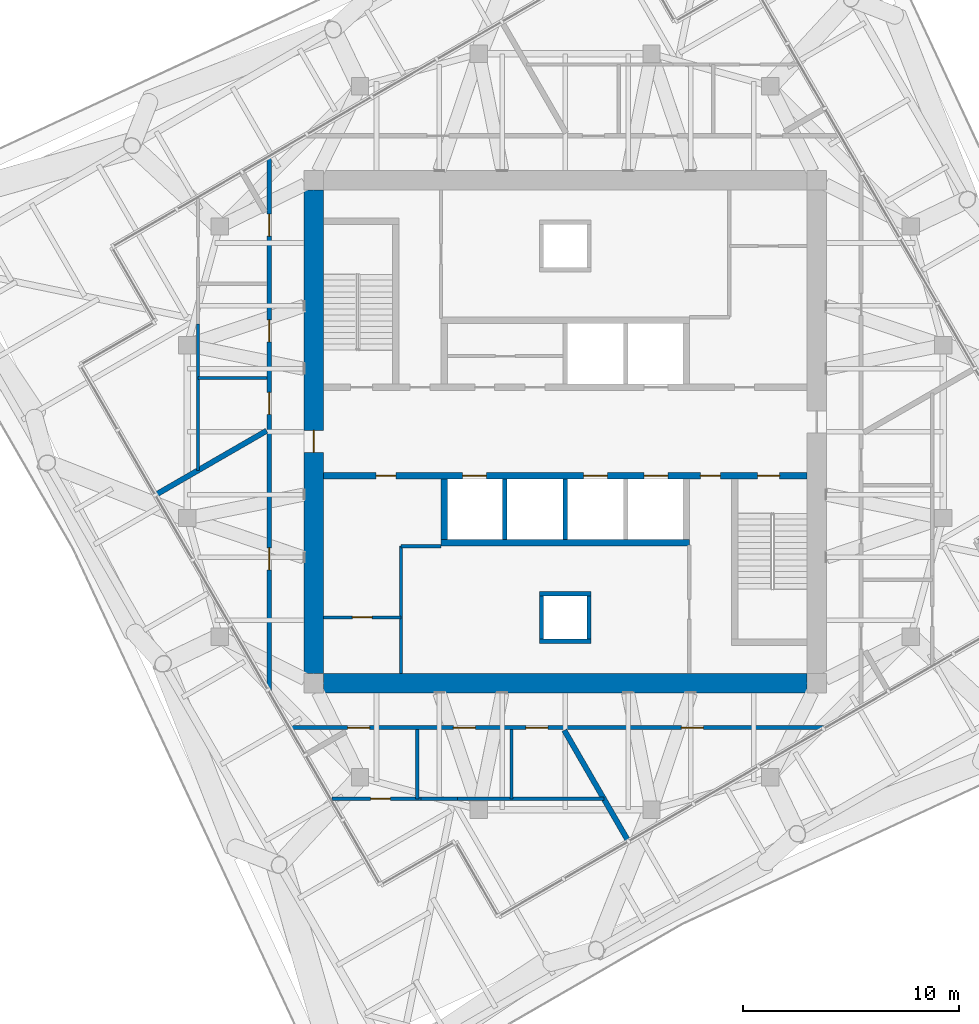
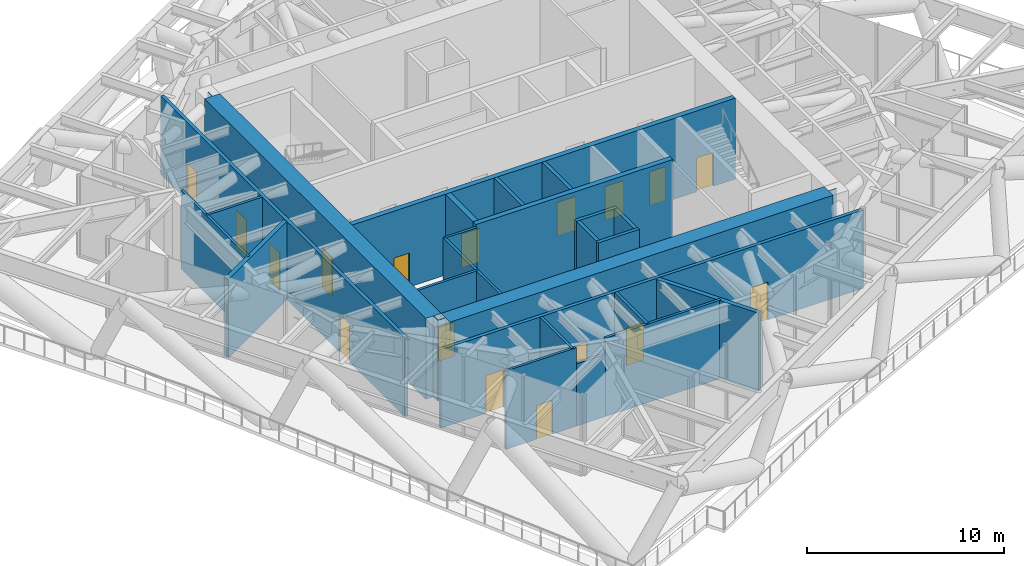
# One storey, part 8 of 12: 25 walls, 17 doors, 17 openings.
"""IFC4 building model written with IfcOpenShell, lengths in metres."""

from ifc_helpers import new_model, si_unit, direction, frame, frame_2d, origin, place, context, subcontext, project, spatial, polyline, rectangle, outline, extrude, material, layer, layer_set, type_object, element, fill, save


model = new_model("IFC4")

# Units and contexts
model_context = context("Model", 3, precision=1e-05, world=origin(), true_north=direction((0.0, 1.0)))
body_context = subcontext(model_context, "Body", "Model", "MODEL_VIEW")
ifc_project = project(units=[si_unit("LENGTHUNIT", "METRE"), si_unit("AREAUNIT", "SQUARE_METRE"), si_unit("VOLUMEUNIT", "CUBIC_METRE"), si_unit("PLANEANGLEUNIT", "RADIAN"), si_unit("MASSUNIT", "GRAM", prefix="KILO")], contexts=[model_context])

# Site, building, storey
site_placement = place(None, origin())
site = spatial("IfcSite", under=ifc_project, at=site_placement, CompositionType="ELEMENT")
building_placement = place(site_placement, origin())
building = spatial("IfcBuilding", under=site, at=building_placement, Name="Torsade Residences", CompositionType="ELEMENT")
storey_placement = place(building_placement, frame((0.0, 0.0, 203.199951171875)))
storey = spatial("IfcBuildingStorey", under=building, at=storey_placement, Name="L56", CompositionType="ELEMENT", Elevation=203.199951171875)

# Wall, openings, doors
ifc_material_1 = material(Name="Concrete 80 MPa", Category="concrete")
ifc_layer_1 = layer(ifc_material_1, 0.300048828125)
ifc_layer_set_1 = layer_set([ifc_layer_1], Name="Concrete 80 MPa")
wall_type_1 = type_object("IfcWallType", Name="CORE INTERNAL WALL 300", PredefinedType="SHEAR", material=ifc_layer_set_1)
wall_1_placement = place(storey_placement, frame((51.199951171875, 27.949951171875, 0.0), z_axis=(0.0, 0.0, 1.0), x_axis=(-1.0, 0.0, 0.0)))
wall_1 = element("IfcWall", 1, at=wall_1_placement, inside=storey, type_object=wall_type_1, Name="Core wall LS L56", PredefinedType="SHEAR", context=body_context, shape_type="SweptSolid", body=[
    extrude(rectangle(XDim=22.39990234375, YDim=0.300048828125, at=frame_2d((11.199951171875, 0.0))), origin(), (0.0, 0.0, 1.0), 5.0),
])
opening_1_placement = place(wall_1_placement, frame((19.0400390625, 0.0, 0.0)))
opening_1 = element("IfcOpeningElement", 2, at=opening_1_placement, cuts=wall_1, Name="Opening D06", PredefinedType="OPENING", context=body_context, shape_type="SweptSolid", body=[
    extrude(rectangle(XDim=0.919921875, YDim=2.10009765625, at=frame_2d((0.4599609375, 1.050048828125))), frame((0.0, 0.159912109375, 0.0), z_axis=(0.0, -1.0, 0.0), x_axis=(1.0, 0.0, 0.0)), (0.0, 0.0, 1.0), 0.320068359375),
])
opening_2_placement = place(wall_1_placement, frame((1.264892578125, 0.0, 0.0)))
opening_2 = element("IfcOpeningElement", 3, at=opening_2_placement, cuts=wall_1, Name="Opening D03", PredefinedType="OPENING", context=body_context, shape_type="SweptSolid", body=[
    extrude(rectangle(XDim=1.02001953125, YDim=2.10009765625, at=frame_2d((0.510009765625, 1.050048828125))), frame((0.0, 0.159912109375, 0.0), z_axis=(0.0, -1.0, 0.0), x_axis=(1.0, 0.0, 0.0)), (0.0, 0.0, 1.0), 0.320068359375),
])
opening_3_placement = place(wall_1_placement, frame((4.014892578125, 0.0, 0.0)))
opening_3 = element("IfcOpeningElement", 4, at=opening_3_placement, cuts=wall_1, Name="Opening D06", PredefinedType="OPENING", context=body_context, shape_type="SweptSolid", body=[
    extrude(rectangle(XDim=0.919921875, YDim=2.10009765625, at=frame_2d((0.4599609375, 1.050048828125))), frame((0.0, 0.159912109375, 0.0), z_axis=(0.0, -1.0, 0.0), x_axis=(1.0, 0.0, 0.0)), (0.0, 0.0, 1.0), 0.320068359375),
])
opening_4_placement = place(wall_1_placement, frame((6.449951171875, 0.0, 0.0)))
opening_4 = element("IfcOpeningElement", 5, at=opening_4_placement, cuts=wall_1, Name="Opening LD", PredefinedType="OPENING", context=body_context, shape_type="SweptSolid", body=[
    extrude(rectangle(XDim=1.10009765625, YDim=2.10009765625, at=frame_2d((0.550048828125, 1.050048828125))), frame((0.0, 0.159912109375, 0.0), z_axis=(0.0, -1.0, 0.0), x_axis=(1.0, 0.0, 0.0)), (0.0, 0.0, 1.0), 0.320068359375),
])
opening_5_placement = place(wall_1_placement, frame((9.25, 0.0, 0.0)))
opening_5 = element("IfcOpeningElement", 6, at=opening_5_placement, cuts=wall_1, Name="Opening LD", PredefinedType="OPENING", context=body_context, shape_type="SweptSolid", body=[
    extrude(rectangle(XDim=1.10009765625, YDim=2.10009765625, at=frame_2d((0.550048828125, 1.050048828125))), frame((0.0, 0.159912109375, 0.0), z_axis=(0.0, -1.0, 0.0), x_axis=(1.0, 0.0, 0.0)), (0.0, 0.0, 1.0), 0.320068359375),
])
opening_6_placement = place(wall_1_placement, frame((14.85009765625, 0.0, 0.0)))
opening_6 = element("IfcOpeningElement", 7, at=opening_6_placement, cuts=wall_1, Name="Opening LD", PredefinedType="OPENING", context=body_context, shape_type="SweptSolid", body=[
    extrude(rectangle(XDim=1.10009765625, YDim=2.10009765625, at=frame_2d((0.550048828125, 1.050048828125))), frame((0.0, 0.159912109375, 0.0), z_axis=(0.0, -1.0, 0.0), x_axis=(1.0, 0.0, 0.0)), (0.0, 0.0, 1.0), 0.320068359375),
])
ifc_material_2 = material(Name="Steel-framed fire door", Category="steel")
door_type_1 = type_object("IfcDoorType", Name="FIRE DOOR 1020", OperationType="NOTDEFINED", PredefinedType="DOOR", material=ifc_material_2)
door_1_placement = place(opening_2_placement, origin())
door_1 = element("IfcDoor", 8, at=door_1_placement, inside=storey, type_object=door_type_1, Name="Exit door to fire-isolated stair ST2 L56", OperationType="SINGLE_SWING_RIGHT", OverallHeight=2.10009765625, OverallWidth=1.02001953125, PredefinedType="DOOR", context=body_context, shape_type="SweptSolid", body=[
    extrude(rectangle(XDim=1.02001953125, YDim=2.10009765625, at=frame_2d((0.510009765625, 1.050048828125))), frame((0.0, 0.02490234375, 0.0), z_axis=(0.0, -1.0, 0.0), x_axis=(1.0, 0.0, 0.0)), (0.0, 0.0, 1.0), 0.050048828125),
])
fill(opening_2, door_1)
ifc_material_3 = material(Name="Steel-framed fire door", Category="steel")
door_type_2 = type_object("IfcDoorType", Name="FIRE DOOR 920", OperationType="NOTDEFINED", PredefinedType="DOOR", material=ifc_material_3)
door_2_placement = place(opening_1_placement, origin())
door_2 = element("IfcDoor", 9, at=door_2_placement, inside=storey, type_object=door_type_2, Name="Door Lift lobby to Cleaner store", OperationType="SINGLE_SWING_LEFT", OverallHeight=2.10009765625, OverallWidth=0.919921875, PredefinedType="DOOR", context=body_context, shape_type="SweptSolid", body=[
    extrude(rectangle(XDim=0.919921875, YDim=2.10009765625, at=frame_2d((0.4599609375, 1.050048828125))), frame((0.0, 0.02490234375, 0.0), z_axis=(0.0, -1.0, 0.0), x_axis=(1.0, 0.0, 0.0)), (0.0, 0.0, 1.0), 0.050048828125),
])
fill(opening_1, door_2)
door_3_placement = place(opening_3_placement, origin())
door_3 = element("IfcDoor", 10, at=door_3_placement, inside=storey, type_object=door_type_2, Name="Door Lift lobby to Security and data store", OperationType="SINGLE_SWING_RIGHT", OverallHeight=2.10009765625, OverallWidth=0.919921875, PredefinedType="DOOR", context=body_context, shape_type="SweptSolid", body=[
    extrude(rectangle(XDim=0.919921875, YDim=2.10009765625, at=frame_2d((0.4599609375, 1.050048828125))), frame((0.0, 0.02490234375, 0.0), z_axis=(0.0, -1.0, 0.0), x_axis=(1.0, 0.0, 0.0)), (0.0, 0.0, 1.0), 0.050048828125),
])
fill(opening_3, door_3)
ifc_material_4 = material(Name="Stainless steel lift landing door", Category="steel")
door_type_3 = type_object("IfcDoorType", Name="LIFT LANDING DOOR 1100", OperationType="SLIDING_TO_LEFT", PredefinedType="DOOR", material=ifc_material_4)
door_4_placement = place(opening_4_placement, origin())
door_4 = element("IfcDoor", 11, at=door_4_placement, inside=storey, type_object=door_type_3, Name="Lift LB1 landing door L56", OperationType="SLIDING_TO_LEFT", OverallHeight=2.10009765625, OverallWidth=1.10009765625, PredefinedType="DOOR", context=body_context, shape_type="SweptSolid", body=[
    extrude(rectangle(XDim=1.10009765625, YDim=2.10009765625, at=frame_2d((0.550048828125, 1.050048828125))), frame((0.0, 0.02490234375, 0.0), z_axis=(0.0, -1.0, 0.0), x_axis=(1.0, 0.0, 0.0)), (0.0, 0.0, 1.0), 0.050048828125),
])
fill(opening_4, door_4)
door_5_placement = place(opening_5_placement, origin())
door_5 = element("IfcDoor", 12, at=door_5_placement, inside=storey, type_object=door_type_3, Name="Lift LB2 landing door L56", OperationType="SLIDING_TO_LEFT", OverallHeight=2.10009765625, OverallWidth=1.10009765625, PredefinedType="DOOR", context=body_context, shape_type="SweptSolid", body=[
    extrude(rectangle(XDim=1.10009765625, YDim=2.10009765625, at=frame_2d((0.550048828125, 1.050048828125))), frame((0.0, 0.02490234375, 0.0), z_axis=(0.0, -1.0, 0.0), x_axis=(1.0, 0.0, 0.0)), (0.0, 0.0, 1.0), 0.050048828125),
])
fill(opening_5, door_5)
door_6_placement = place(opening_6_placement, origin())
door_6 = element("IfcDoor", 13, at=door_6_placement, inside=storey, type_object=door_type_3, Name="Lift FL2 landing door L56", OperationType="SLIDING_TO_LEFT", OverallHeight=2.10009765625, OverallWidth=1.10009765625, PredefinedType="DOOR", context=body_context, shape_type="SweptSolid", body=[
    extrude(rectangle(XDim=1.10009765625, YDim=2.10009765625, at=frame_2d((0.550048828125, 1.050048828125))), frame((0.0, 0.02490234375, 0.0), z_axis=(0.0, -1.0, 0.0), x_axis=(1.0, 0.0, 0.0)), (0.0, 0.0, 1.0), 0.050048828125),
])
fill(opening_6, door_6)

# Walls
wall_2_placement = place(storey_placement, frame((45.75, 24.85009765625, 0.0), z_axis=(0.0, 0.0, 1.0), x_axis=(-1.0, 0.0, 0.0)))
element("IfcWall", 14, at=wall_2_placement, inside=storey, type_object=wall_type_1, Name="Core wall BS L56", PredefinedType="SHEAR", context=body_context, shape_type="SweptSolid", body=[
    extrude(rectangle(XDim=11.5, YDim=0.300048828125, at=frame_2d((5.75, 0.0))), origin(), (0.0, 0.0, 1.0), 5.0),
])
wall_3_placement = place(storey_placement, frame((34.39990234375, 27.800048828125, 0.0), z_axis=(0.0, 0.0, 1.0), x_axis=(0.0, -1.0, 0.0)))
element("IfcWall", 15, at=wall_3_placement, inside=storey, type_object=wall_type_1, Name="Core wall DS4 L56", PredefinedType="SHEAR", context=body_context, shape_type="SweptSolid", body=[
    extrude(rectangle(XDim=2.800048828125, YDim=0.300048828125, at=frame_2d((1.39990234375, 0.0))), origin(), (0.0, 0.0, 1.0), 5.0),
])
ifc_material_5 = material(Name="Concrete 80 MPa", Category="concrete")
ifc_layer_2 = layer(ifc_material_5, 0.89990234375)
ifc_layer_set_2 = layer_set([ifc_layer_2], Name="Concrete 80 MPa")
wall_type_2 = type_object("IfcWallType", Name="CORE WALL 900", PredefinedType="SHEAR", material=ifc_layer_set_2)
wall_4_placement = place(storey_placement, frame((51.199951171875, 18.35009765625, 0.0), z_axis=(0.0, 0.0, 1.0), x_axis=(-1.0, 0.0, 0.0)))
element("IfcWall", 16, at=wall_4_placement, inside=storey, type_object=wall_type_2, Name="Core wall S L56", PredefinedType="SHEAR", context=body_context, shape_type="SweptSolid", body=[
    extrude(outline(polyline([(0.0, -0.449951171875), (22.39990234375, -0.449951171875), (22.39990234375, -0.02490234375), (22.849853515625, -0.02490234375), (22.849853515625, 0.02490234375), (22.39990234375, 0.02490234375), (22.39990234375, 0.449951171875), (0.0, 0.449951171875), (0.0, 0.02490234375), (-0.449951171875, 0.02490234375), (-0.449951171875, -0.02490234375), (0.0, -0.02490234375), (0.0, -0.449951171875)])), origin(), (0.0, 0.0, 1.0), 5.0),
])

# Wall, opening, door
wall_5_placement = place(storey_placement, frame((28.35009765625, 41.199951171875, 0.0), z_axis=(0.0, 0.0, 1.0), x_axis=(0.0, -1.0, 0.0)))
wall_5 = element("IfcWall", 17, at=wall_5_placement, inside=storey, type_object=wall_type_2, Name="Core wall W L56", PredefinedType="SHEAR", context=body_context, shape_type="SweptSolid", body=[
    extrude(outline(polyline([(0.0, -0.449951171875), (22.39990234375, -0.449951171875), (22.39990234375, -0.02490234375), (22.849853515625, -0.02490234375), (22.849853515625, 0.02490234375), (22.39990234375, 0.02490234375), (22.39990234375, 0.449951171875), (0.0, 0.449951171875), (0.0, 0.02490234375), (-0.449951171875, 0.02490234375), (-0.449951171875, -0.02490234375), (0.0, -0.02490234375), (0.0, -0.449951171875)])), origin(), (0.0, 0.0, 1.0), 5.0),
])
opening_7_placement = place(wall_5_placement, frame((11.139892578125, 0.0, 0.0)))
opening_7 = element("IfcOpeningElement", 18, at=opening_7_placement, cuts=wall_5, Name="Opening D04", PredefinedType="OPENING", context=body_context, shape_type="SweptSolid", body=[
    extrude(rectangle(XDim=1.02001953125, YDim=2.39990234375, at=frame_2d((0.510009765625, 1.199951171875))), frame((0.0, 0.4599609375, 0.0), z_axis=(0.0, -1.0, 0.0), x_axis=(1.0, 0.0, 0.0)), (0.0, 0.0, 1.0), 0.919921875),
])
ifc_material_6 = material(Name="Steel-framed fire door", Category="steel")
door_type_4 = type_object("IfcDoorType", Name="LOBBY SMOKE DOOR 1020x2400", OperationType="NOTDEFINED", PredefinedType="DOOR", material=ifc_material_6)
door_7_placement = place(opening_7_placement, origin())
door_7 = element("IfcDoor", 19, at=door_7_placement, inside=storey, type_object=door_type_4, Name="Lift lobby door W L56", OperationType="SINGLE_SWING_RIGHT", OverallHeight=2.39990234375, OverallWidth=1.02001953125, PredefinedType="DOOR", context=body_context, shape_type="SweptSolid", body=[
    extrude(rectangle(XDim=1.02001953125, YDim=2.39990234375, at=frame_2d((0.510009765625, 1.199951171875))), frame((0.0, 0.02490234375, 0.0), z_axis=(0.0, -1.0, 0.0), x_axis=(1.0, 0.0, 0.0)), (0.0, 0.0, 1.0), 0.050048828125),
])
fill(opening_7, door_7)

# Wall, openings, doors
ifc_material_7 = material(Name="Plasterboard on steel stud", Category="steel")
ifc_layer_3 = layer(ifc_material_7, 0.199951171875)
ifc_layer_set_3 = layer_set([ifc_layer_3], Name="Plasterboard on steel stud")
wall_type_3 = type_object("IfcWallType", Name="CORRIDOR WALL 200", PredefinedType="PARTITIONING", material=ifc_layer_set_3)
wall_6_placement = place(storey_placement, frame((27.286865234375, 16.300048828125, 0.0), z_axis=(0.0, 0.0, 1.0), x_axis=(1.0, 0.0, 0.0)))
wall_6 = element("IfcWall", 20, at=wall_6_placement, inside=storey, type_object=wall_type_3, Name="Corridor wall L56", PredefinedType="PARTITIONING", context=body_context, shape_type="SweptSolid", body=[
    extrude(rectangle(XDim=24.7041015625, YDim=0.199951171875, at=frame_2d((12.35205078125, 0.0))), origin(), (0.0, 0.0, 1.0), 4.85009765625),
])
opening_8_placement = place(wall_6_placement, frame((18.094482421875, 0.0, 0.0)))
opening_8 = element("IfcOpeningElement", 21, at=opening_8_placement, cuts=wall_6, Name="Opening D01", PredefinedType="OPENING", context=body_context, shape_type="SweptSolid", body=[
    extrude(rectangle(XDim=1.02001953125, YDim=2.340087890625, at=frame_2d((0.510009765625, 1.169921875))), frame((0.0, 0.10986328125, 0.0), z_axis=(0.0, -1.0, 0.0), x_axis=(1.0, 0.0, 0.0)), (0.0, 0.0, 1.0), 0.219970703125),
])
opening_9_placement = place(wall_6_placement, frame((2.642333984375, 0.0, 0.0)))
opening_9 = element("IfcOpeningElement", 22, at=opening_9_placement, cuts=wall_6, Name="Opening D01", PredefinedType="OPENING", context=body_context, shape_type="SweptSolid", body=[
    extrude(rectangle(XDim=1.02001953125, YDim=2.340087890625, at=frame_2d((0.510009765625, 1.169921875))), frame((0.0, 0.10986328125, 0.0), z_axis=(0.0, -1.0, 0.0), x_axis=(1.0, 0.0, 0.0)), (0.0, 0.0, 1.0), 0.219970703125),
])
opening_10_placement = place(wall_6_placement, frame((7.533935546875, 0.0, 0.0)))
opening_10 = element("IfcOpeningElement", 23, at=opening_10_placement, cuts=wall_6, Name="Opening D01", PredefinedType="OPENING", context=body_context, shape_type="SweptSolid", body=[
    extrude(rectangle(XDim=1.02001953125, YDim=2.340087890625, at=frame_2d((0.510009765625, 1.169921875))), frame((0.0, 0.10986328125, 0.0), z_axis=(0.0, -1.0, 0.0), x_axis=(1.0, 0.0, 0.0)), (0.0, 0.0, 1.0), 0.219970703125),
])
opening_11_placement = place(wall_6_placement, frame((10.894287109375, 0.0, 0.0)))
opening_11 = element("IfcOpeningElement", 24, at=opening_11_placement, cuts=wall_6, Name="Opening D01", PredefinedType="OPENING", context=body_context, shape_type="SweptSolid", body=[
    extrude(rectangle(XDim=1.02001953125, YDim=2.340087890625, at=frame_2d((0.510009765625, 1.169921875))), frame((0.0, 0.10986328125, 0.0), z_axis=(0.0, -1.0, 0.0), x_axis=(1.0, 0.0, 0.0)), (0.0, 0.0, 1.0), 0.219970703125),
])
ifc_material_8 = material(Name="Solid-core timber fire door", Category="wood")
door_type_5 = type_object("IfcDoorType", Name="APARTMENT ENTRY DOOR 1020x2340", OperationType="NOTDEFINED", PredefinedType="DOOR", material=ifc_material_8)
door_8_placement = place(opening_8_placement, origin())
door_8 = element("IfcDoor", 25, at=door_8_placement, inside=storey, type_object=door_type_5, Name="Door Plant corridor to Water tank room", OperationType="SINGLE_SWING_LEFT", OverallHeight=2.340087890625, OverallWidth=1.02001953125, PredefinedType="DOOR", context=body_context, shape_type="SweptSolid", body=[
    extrude(rectangle(XDim=1.02001953125, YDim=2.340087890625, at=frame_2d((0.510009765625, 1.169921875))), frame((0.0, 0.02490234375, 0.0), z_axis=(0.0, -1.0, 0.0), x_axis=(1.0, 0.0, 0.0)), (0.0, 0.0, 1.0), 0.050048828125),
])
fill(opening_8, door_8)
door_9_placement = place(opening_9_placement, origin())
door_9 = element("IfcDoor", 26, at=door_9_placement, inside=storey, type_object=door_type_5, Name="Door Plant corridor to Service lobby", OperationType="SINGLE_SWING_RIGHT", OverallHeight=2.340087890625, OverallWidth=1.02001953125, PredefinedType="DOOR", context=body_context, shape_type="SweptSolid", body=[
    extrude(rectangle(XDim=1.02001953125, YDim=2.340087890625, at=frame_2d((0.510009765625, 1.169921875))), frame((0.0, 0.02490234375, 0.0), z_axis=(0.0, -1.0, 0.0), x_axis=(1.0, 0.0, 0.0)), (0.0, 0.0, 1.0), 0.050048828125),
])
fill(opening_9, door_9)
door_10_placement = place(opening_10_placement, origin())
door_10 = element("IfcDoor", 27, at=door_10_placement, inside=storey, type_object=door_type_5, Name="Door Plant corridor to Pump room", OperationType="SINGLE_SWING_RIGHT", OverallHeight=2.340087890625, OverallWidth=1.02001953125, PredefinedType="DOOR", context=body_context, shape_type="SweptSolid", body=[
    extrude(rectangle(XDim=1.02001953125, YDim=2.340087890625, at=frame_2d((0.510009765625, 1.169921875))), frame((0.0, 0.02490234375, 0.0), z_axis=(0.0, -1.0, 0.0), x_axis=(1.0, 0.0, 0.0)), (0.0, 0.0, 1.0), 0.050048828125),
])
fill(opening_10, door_10)
door_11_placement = place(opening_11_placement, origin())
door_11 = element("IfcDoor", 28, at=door_11_placement, inside=storey, type_object=door_type_5, Name="Door Plant corridor to Plant cupboard", OperationType="SINGLE_SWING_LEFT", OverallHeight=2.340087890625, OverallWidth=1.02001953125, PredefinedType="DOOR", context=body_context, shape_type="SweptSolid", body=[
    extrude(rectangle(XDim=1.02001953125, YDim=2.340087890625, at=frame_2d((0.510009765625, 1.169921875))), frame((0.0, 0.02490234375, 0.0), z_axis=(0.0, -1.0, 0.0), x_axis=(1.0, 0.0, 0.0)), (0.0, 0.0, 1.0), 0.050048828125),
])
fill(opening_11, door_11)

wall_7_placement = place(storey_placement, frame((26.300048828125, 42.713134765625, 0.0), z_axis=(0.0, 0.0, 1.0), x_axis=(0.0, -1.0, 0.0)))
wall_7 = element("IfcWall", 29, at=wall_7_placement, inside=storey, type_object=wall_type_3, Name="Corridor wall L56", PredefinedType="PARTITIONING", context=body_context, shape_type="SweptSolid", body=[
    extrude(rectangle(XDim=24.7041015625, YDim=0.199951171875, at=frame_2d((12.35205078125, 0.0))), origin(), (0.0, 0.0, 1.0), 4.85009765625),
])
opening_12_placement = place(wall_7_placement, frame((18.094482421875, 0.0, 0.0)))
opening_12 = element("IfcOpeningElement", 30, at=opening_12_placement, cuts=wall_7, Name="Opening D01", PredefinedType="OPENING", context=body_context, shape_type="SweptSolid", body=[
    extrude(rectangle(XDim=1.02001953125, YDim=2.340087890625, at=frame_2d((0.510009765625, 1.169921875))), frame((0.0, 0.10986328125, 0.0), z_axis=(0.0, -1.0, 0.0), x_axis=(1.0, 0.0, 0.0)), (0.0, 0.0, 1.0), 0.219970703125),
])
opening_13_placement = place(wall_7_placement, frame((2.642333984375, 0.0, 0.0)))
opening_13 = element("IfcOpeningElement", 31, at=opening_13_placement, cuts=wall_7, Name="Opening D01", PredefinedType="OPENING", context=body_context, shape_type="SweptSolid", body=[
    extrude(rectangle(XDim=1.02001953125, YDim=2.340087890625, at=frame_2d((0.510009765625, 1.169921875))), frame((0.0, 0.10986328125, 0.0), z_axis=(0.0, -1.0, 0.0), x_axis=(1.0, 0.0, 0.0)), (0.0, 0.0, 1.0), 0.219970703125),
])
opening_14_placement = place(wall_7_placement, frame((7.533935546875, 0.0, 0.0)))
opening_14 = element("IfcOpeningElement", 32, at=opening_14_placement, cuts=wall_7, Name="Opening D01", PredefinedType="OPENING", context=body_context, shape_type="SweptSolid", body=[
    extrude(rectangle(XDim=1.02001953125, YDim=2.340087890625, at=frame_2d((0.510009765625, 1.169921875))), frame((0.0, 0.10986328125, 0.0), z_axis=(0.0, -1.0, 0.0), x_axis=(1.0, 0.0, 0.0)), (0.0, 0.0, 1.0), 0.219970703125),
])
opening_15_placement = place(wall_7_placement, frame((10.894287109375, 0.0, 0.0)))
opening_15 = element("IfcOpeningElement", 33, at=opening_15_placement, cuts=wall_7, Name="Opening D01", PredefinedType="OPENING", context=body_context, shape_type="SweptSolid", body=[
    extrude(rectangle(XDim=1.02001953125, YDim=2.340087890625, at=frame_2d((0.510009765625, 1.169921875))), frame((0.0, 0.10986328125, 0.0), z_axis=(0.0, -1.0, 0.0), x_axis=(1.0, 0.0, 0.0)), (0.0, 0.0, 1.0), 0.219970703125),
])
door_12_placement = place(opening_12_placement, origin())
door_12 = element("IfcDoor", 34, at=door_12_placement, inside=storey, type_object=door_type_5, Name="Door Plant corridor to Hot water plant room", OperationType="SINGLE_SWING_RIGHT", OverallHeight=2.340087890625, OverallWidth=1.02001953125, PredefinedType="DOOR", context=body_context, shape_type="SweptSolid", body=[
    extrude(rectangle(XDim=1.02001953125, YDim=2.340087890625, at=frame_2d((0.510009765625, 1.169921875))), frame((0.0, 0.02490234375, 0.0), z_axis=(0.0, -1.0, 0.0), x_axis=(1.0, 0.0, 0.0)), (0.0, 0.0, 1.0), 0.050048828125),
])
fill(opening_12, door_12)
door_13_placement = place(opening_13_placement, origin())
door_13 = element("IfcDoor", 35, at=door_13_placement, inside=storey, type_object=door_type_5, Name="Door Plant corridor to Service lobby", OperationType="SINGLE_SWING_LEFT", OverallHeight=2.340087890625, OverallWidth=1.02001953125, PredefinedType="DOOR", context=body_context, shape_type="SweptSolid", body=[
    extrude(rectangle(XDim=1.02001953125, YDim=2.340087890625, at=frame_2d((0.510009765625, 1.169921875))), frame((0.0, 0.02490234375, 0.0), z_axis=(0.0, -1.0, 0.0), x_axis=(1.0, 0.0, 0.0)), (0.0, 0.0, 1.0), 0.050048828125),
])
fill(opening_13, door_13)
door_14_placement = place(opening_14_placement, origin())
door_14 = element("IfcDoor", 36, at=door_14_placement, inside=storey, type_object=door_type_5, Name="Door Plant corridor to Pump room", OperationType="SINGLE_SWING_RIGHT", OverallHeight=2.340087890625, OverallWidth=1.02001953125, PredefinedType="DOOR", context=body_context, shape_type="SweptSolid", body=[
    extrude(rectangle(XDim=1.02001953125, YDim=2.340087890625, at=frame_2d((0.510009765625, 1.169921875))), frame((0.0, 0.02490234375, 0.0), z_axis=(0.0, -1.0, 0.0), x_axis=(1.0, 0.0, 0.0)), (0.0, 0.0, 1.0), 0.050048828125),
])
fill(opening_14, door_14)
door_15_placement = place(opening_15_placement, origin())
door_15 = element("IfcDoor", 37, at=door_15_placement, inside=storey, type_object=door_type_5, Name="Door Plant corridor to Plant cupboard", OperationType="SINGLE_SWING_RIGHT", OverallHeight=2.340087890625, OverallWidth=1.02001953125, PredefinedType="DOOR", context=body_context, shape_type="SweptSolid", body=[
    extrude(rectangle(XDim=1.02001953125, YDim=2.340087890625, at=frame_2d((0.510009765625, 1.169921875))), frame((0.0, 0.02490234375, 0.0), z_axis=(0.0, -1.0, 0.0), x_axis=(1.0, 0.0, 0.0)), (0.0, 0.0, 1.0), 0.050048828125),
])
fill(opening_15, door_15)

# Walls
ifc_material_9 = material(Name="Reinforced blockwork", Category="masonry")
ifc_layer_4 = layer(ifc_material_9, 0.199951171875)
ifc_layer_set_4 = layer_set([ifc_layer_4], Name="Reinforced blockwork")
wall_type_4 = type_object("IfcWallType", Name="LIFT SHAFT DIVIDING WALL 200", PredefinedType="SOLIDWALL", material=ifc_layer_set_4)
for number, where, z_axis, x_axis, name in (
    (38, (40.0, 27.800048828125, 0.0), (0.0, 0.0, 1.0), (0.0, -1.0, 0.0), "Core wall DS2 L56"),
    (39, (37.199951171875, 27.800048828125, 0.0), (0.0, 0.0, 1.0), (0.0, -1.0, 0.0), "Core wall DS3 L56"),
):
    element("IfcWall", number, at=place(storey_placement, frame(where, z_axis=z_axis, x_axis=x_axis)), inside=storey, type_object=wall_type_4, Name=name, PredefinedType="SOLIDWALL", context=body_context, shape_type="SweptSolid", body=[
        extrude(rectangle(XDim=2.800048828125, YDim=0.199951171875, at=frame_2d((1.39990234375, 0.0))), origin(), (0.0, 0.0, 1.0), 5.0),
    ])
ifc_material_10 = material(Name="Masonry-lined stud party wall", Category="masonry")
ifc_layer_5 = layer(ifc_material_10, 0.25)
ifc_layer_set_5 = layer_set([ifc_layer_5], Name="Masonry-lined stud party wall")
wall_type_5 = type_object("IfcWallType", Name="PARTY WALL 250", PredefinedType="PARTITIONING", material=ifc_layer_set_5)
for number, where, z_axis, x_axis, name in (
    (40, (42.93115234375, 11.023193359375, 0.0), (0.0, 0.0, 1.0), (-0.500021028785, 0.866013262469, 0.0), "Party wall L56"),
    (41, (21.023193359375, 27.06884765625, 0.0), (0.0, 0.0, 1.0), (0.866013262469, 0.500021028785, 0.0), "Party wall L56"),
):
    element("IfcWall", number, at=place(storey_placement, frame(where, z_axis=z_axis, x_axis=x_axis)), inside=storey, type_object=wall_type_5, Name=name, PredefinedType="PARTITIONING", context=body_context, shape_type="SweptSolid", body=[
        extrude(rectangle(XDim=5.945556640625, YDim=0.25, at=frame_2d((2.97265625, 0.0))), origin(), (0.0, 0.0, 1.0), 4.85009765625),
    ])
ifc_material_11 = material(Name="Reinforced blockwork", Category="masonry")
ifc_layer_6 = layer(ifc_material_11, 0.199951171875)
ifc_layer_set_6 = layer_set([ifc_layer_6], Name="Reinforced blockwork")
wall_type_6 = type_object("IfcWallType", Name="RISER SHAFT WALL 200", PredefinedType="SOLIDWALL", material=ifc_layer_set_6)
for number, where, z_axis, x_axis, name in (
    (42, (38.89990234375, 22.39990234375, 0.0), (0.0, 0.0, 1.0), (0.0, -1.0, 0.0), "Core wall RS2a L56"),
    (43, (41.10009765625, 22.39990234375, 0.0), (0.0, 0.0, 1.0), (0.0, -1.0, 0.0), "Core wall RS2b L56"),
):
    element("IfcWall", number, at=place(storey_placement, frame(where, z_axis=z_axis, x_axis=x_axis)), inside=storey, type_object=wall_type_6, Name=name, PredefinedType="SOLIDWALL", context=body_context, shape_type="SweptSolid", body=[
        extrude(rectangle(XDim=2.0, YDim=0.199951171875, at=frame_2d((1.0, 0.0))), origin(), (0.0, 0.0, 1.0), 5.0),
    ])
for number, where, z_axis, x_axis, name in (
    (44, (38.800048828125, 22.5, 0.0), (0.0, 0.0, 1.0), (1.0, 0.0, 0.0), "Core wall RS2c L56"),
    (45, (38.800048828125, 20.300048828125, 0.0), (0.0, 0.0, 1.0), (1.0, 0.0, 0.0), "Core wall RS2d L56"),
):
    element("IfcWall", number, at=place(storey_placement, frame(where, z_axis=z_axis, x_axis=x_axis)), inside=storey, type_object=wall_type_6, Name=name, PredefinedType="SOLIDWALL", context=body_context, shape_type="SweptSolid", body=[
        extrude(rectangle(XDim=2.39990234375, YDim=0.199951171875, at=frame_2d((1.199951171875, 0.0))), origin(), (0.0, 0.0, 1.0), 5.0),
    ])
ifc_material_12 = material(Name="Reinforced blockwork", Category="masonry")
ifc_layer_7 = layer(ifc_material_12, 0.14990234375)
ifc_layer_set_7 = layer_set([ifc_layer_7], Name="Reinforced blockwork")
wall_type_7 = type_object("IfcWallType", Name="SERVICE ROOM WALL 150", PredefinedType="SOLIDWALL", material=ifc_layer_set_7)
wall_8_placement = place(storey_placement, frame((32.39990234375, 18.800048828125, 0.0), z_axis=(0.0, 0.0, 1.0), x_axis=(0.0, 1.0, 0.0)))
element("IfcWall", 46, at=wall_8_placement, inside=storey, type_object=wall_type_7, Name="Service room wall L56", PredefinedType="SOLIDWALL", context=body_context, shape_type="SweptSolid", body=[
    extrude(rectangle(XDim=5.89990234375, YDim=0.14990234375, at=frame_2d((2.949951171875, 0.0))), origin(), (0.0, 0.0, 1.0), 4.85009765625),
])
wall_9_placement = place(storey_placement, frame((32.39990234375, 24.699951171875, 0.0), z_axis=(0.0, 0.0, 1.0), x_axis=(1.0, 0.0, 0.0)))
element("IfcWall", 47, at=wall_9_placement, inside=storey, type_object=wall_type_7, Name="Service room wall L56", PredefinedType="SOLIDWALL", context=body_context, shape_type="SweptSolid", body=[
    extrude(rectangle(XDim=1.85009765625, YDim=0.14990234375, at=frame_2d((0.925048828125, 0.0))), origin(), (0.0, 0.0, 1.0), 4.85009765625),
])

# Wall, opening, door
wall_10_placement = place(storey_placement, frame((32.39990234375, 21.39990234375, 0.0), z_axis=(0.0, 0.0, 1.0), x_axis=(-1.0, 0.0, 0.0)))
wall_10 = element("IfcWall", 48, at=wall_10_placement, inside=storey, type_object=wall_type_7, Name="Service room wall L56", PredefinedType="SOLIDWALL", context=body_context, shape_type="SweptSolid", body=[
    extrude(rectangle(XDim=3.599853515625, YDim=0.14990234375, at=frame_2d((1.7998046875, 0.0))), origin(), (0.0, 0.0, 1.0), 4.85009765625),
])
opening_16_placement = place(wall_10_placement, frame((1.340087890625, 0.0, 0.0)))
opening_16 = element("IfcOpeningElement", 49, at=opening_16_placement, cuts=wall_10, Name="Opening D06", PredefinedType="OPENING", context=body_context, shape_type="SweptSolid", body=[
    extrude(rectangle(XDim=0.919921875, YDim=2.10009765625, at=frame_2d((0.4599609375, 1.050048828125))), frame((0.0, 0.0849609375, 0.0), z_axis=(0.0, -1.0, 0.0), x_axis=(1.0, 0.0, 0.0)), (0.0, 0.0, 1.0), 0.169921875),
])
door_16_placement = place(opening_16_placement, origin())
door_16 = element("IfcDoor", 50, at=door_16_placement, inside=storey, type_object=door_type_2, Name="Door Cleaner store to Sprinkler valve room", OperationType="SINGLE_SWING_LEFT", OverallHeight=2.10009765625, OverallWidth=0.919921875, PredefinedType="DOOR", context=body_context, shape_type="SweptSolid", body=[
    extrude(rectangle(XDim=0.919921875, YDim=2.10009765625, at=frame_2d((0.4599609375, 1.050048828125))), frame((0.0, 0.02490234375, 0.0), z_axis=(0.0, -1.0, 0.0), x_axis=(1.0, 0.0, 0.0)), (0.0, 0.0, 1.0), 0.050048828125),
])
fill(opening_16, door_16)

# Walls
wall_11_placement = place(storey_placement, frame((33.145263671875, 16.199951171875, 0.0), z_axis=(0.0, 0.0, 1.0), x_axis=(0.0, -1.0, 0.0)))
element("IfcWall", 51, at=wall_11_placement, inside=storey, type_object=wall_type_7, Name="Service room wall L56", PredefinedType="SOLIDWALL", context=body_context, shape_type="SweptSolid", body=[
    extrude(rectangle(XDim=3.199951171875, YDim=0.14990234375, at=frame_2d((1.60009765625, 0.0))), origin(), (0.0, 0.0, 1.0), 4.85009765625),
])
wall_12_placement = place(storey_placement, frame((41.789794921875, 13.0, 0.0), z_axis=(0.0, 0.0, 1.0), x_axis=(-1.0, 0.0, 0.0)))
element("IfcWall", 52, at=wall_12_placement, inside=storey, type_object=wall_type_7, Name="Service room wall L56", PredefinedType="SOLIDWALL", context=body_context, shape_type="SweptSolid", body=[
    extrude(rectangle(XDim=6.778076171875, YDim=0.14990234375, at=frame_2d((3.38916015625, 0.0))), origin(), (0.0, 0.0, 1.0), 4.85009765625),
])
wall_13_placement = place(storey_placement, frame((35.01171875, 13.0, 0.0), z_axis=(0.0, 0.0, 1.0), x_axis=(-1.0, 0.0, 0.0)))
element("IfcWall", 53, at=wall_13_placement, inside=storey, type_object=wall_type_7, Name="Service room wall L56", PredefinedType="SOLIDWALL", context=body_context, shape_type="SweptSolid", body=[
    extrude(rectangle(XDim=1.690185546875, YDim=0.14990234375, at=frame_2d((0.84521484375, 0.0))), origin(), (0.0, 0.0, 1.0), 3.85009765625),
])

# Wall, opening, door
wall_14_placement = place(storey_placement, frame((33.321533203125, 13.0, 0.0), z_axis=(0.0, 0.0, 1.0), x_axis=(-1.0, 0.0, 0.0)))
wall_14 = element("IfcWall", 54, at=wall_14_placement, inside=storey, type_object=wall_type_7, Name="Service room wall L56", PredefinedType="SOLIDWALL", context=body_context, shape_type="SweptSolid", body=[
    extrude(rectangle(XDim=4.129638671875, YDim=0.14990234375, at=frame_2d((2.06494140625, 0.0))), origin(), (0.0, 0.0, 1.0), 4.85009765625),
])
opening_17_placement = place(wall_14_placement, frame((1.416015625, 0.0, 0.0)))
opening_17 = element("IfcOpeningElement", 55, at=opening_17_placement, cuts=wall_14, Name="Opening D06", PredefinedType="OPENING", context=body_context, shape_type="SweptSolid", body=[
    extrude(rectangle(XDim=0.919921875, YDim=2.10009765625, at=frame_2d((0.4599609375, 1.050048828125))), frame((0.0, 0.0849609375, 0.0), z_axis=(0.0, -1.0, 0.0), x_axis=(1.0, 0.0, 0.0)), (0.0, 0.0, 1.0), 0.169921875),
])
door_17_placement = place(opening_17_placement, origin())
door_17 = element("IfcDoor", 56, at=door_17_placement, inside=storey, type_object=door_type_2, Name="Door Service lobby to Mechanical plant room", OperationType="SINGLE_SWING_RIGHT", OverallHeight=2.10009765625, OverallWidth=0.919921875, PredefinedType="DOOR", context=body_context, shape_type="SweptSolid", body=[
    extrude(rectangle(XDim=0.919921875, YDim=2.10009765625, at=frame_2d((0.4599609375, 1.050048828125))), frame((0.0, 0.02490234375, 0.0), z_axis=(0.0, -1.0, 0.0), x_axis=(1.0, 0.0, 0.0)), (0.0, 0.0, 1.0), 0.050048828125),
])
fill(opening_17, door_17)

# Walls
wall_15_placement = place(storey_placement, frame((37.516357421875, 16.199951171875, 0.0), z_axis=(0.0, 0.0, 1.0), x_axis=(0.0, -1.0, 0.0)))
element("IfcWall", 57, at=wall_15_placement, inside=storey, type_object=wall_type_7, Name="Service room wall L56", PredefinedType="SOLIDWALL", context=body_context, shape_type="SweptSolid", body=[
    extrude(rectangle(XDim=3.199951171875, YDim=0.14990234375, at=frame_2d((1.60009765625, 0.0))), origin(), (0.0, 0.0, 1.0), 4.85009765625),
])
wall_16_placement = place(storey_placement, frame((23.0, 28.210205078125, 0.0), z_axis=(0.0, 0.0, 1.0), x_axis=(0.0, 1.0, 0.0)))
element("IfcWall", 58, at=wall_16_placement, inside=storey, type_object=wall_type_7, Name="Service room wall L56", PredefinedType="SOLIDWALL", context=body_context, shape_type="SweptSolid", body=[
    extrude(rectangle(XDim=6.778076171875, YDim=0.14990234375, at=frame_2d((3.38916015625, 0.0))), origin(), (0.0, 0.0, 1.0), 4.85009765625),
])
wall_17_placement = place(storey_placement, frame((26.199951171875, 32.483642578125, 0.0), z_axis=(0.0, 0.0, 1.0), x_axis=(-1.0, 0.0, 0.0)))
element("IfcWall", 59, at=wall_17_placement, inside=storey, type_object=wall_type_7, Name="Service room wall L56", PredefinedType="SOLIDWALL", context=body_context, shape_type="SweptSolid", body=[
    extrude(rectangle(XDim=3.199951171875, YDim=0.14990234375, at=frame_2d((1.60009765625, 0.0))), origin(), (0.0, 0.0, 1.0), 4.85009765625),
])

save(model, "model.ifc")
